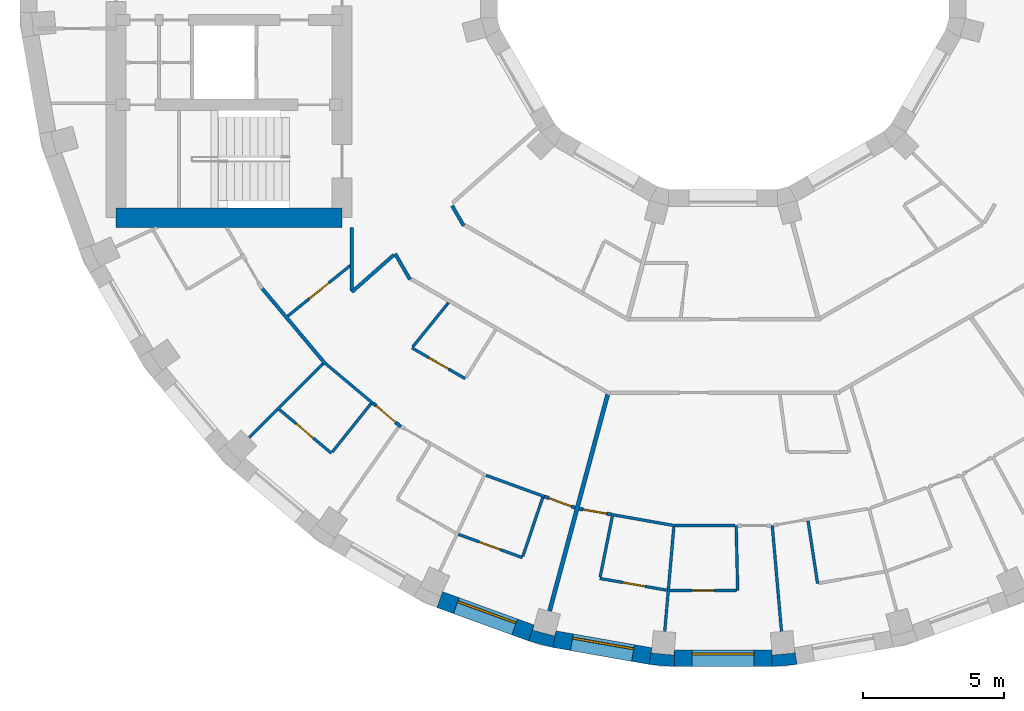
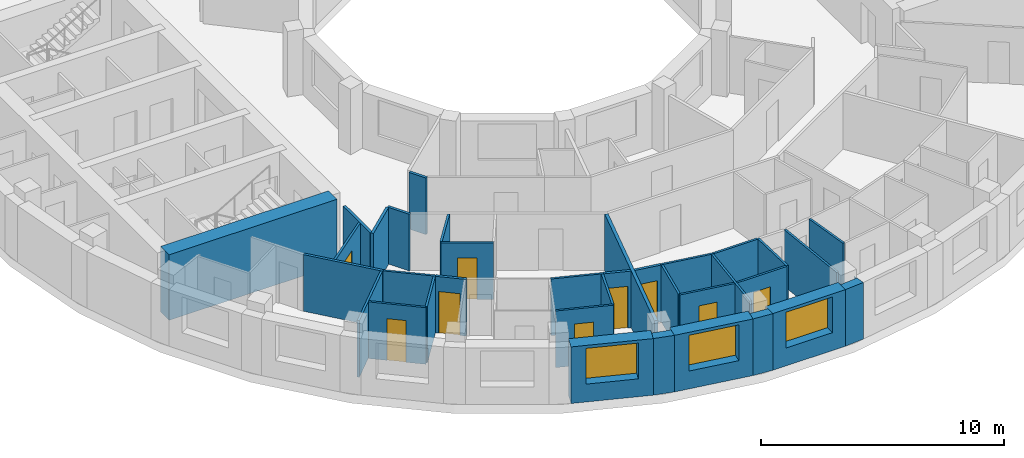
# One storey, part 4 of 14: 35 walls, 9 doors, 3 windows, 12 openings.
"""IFC4 building model written with IfcOpenShell, lengths in metres."""

from ifc_helpers import new_model, si_unit, direction, frame, frame_2d, origin, place, context, subcontext, project, spatial, polyline, rectangle, outline, extrude, material, layer, layer_set, type_object, element, fill, save


model = new_model("IFC4")

# Units and contexts
model_context = context("Model", 3, precision=1e-05, world=origin(), true_north=direction((0.0, 1.0)))
body_context = subcontext(model_context, "Body", "Model", "MODEL_VIEW")
ifc_project = project(units=[si_unit("LENGTHUNIT", "METRE"), si_unit("AREAUNIT", "SQUARE_METRE"), si_unit("VOLUMEUNIT", "CUBIC_METRE"), si_unit("PLANEANGLEUNIT", "RADIAN"), si_unit("MASSUNIT", "GRAM", prefix="KILO")], contexts=[model_context])

# Site, building, storey
site_placement = place(None, origin())
site = spatial("IfcSite", under=ifc_project, at=site_placement, CompositionType="ELEMENT")
building_placement = place(site_placement, origin())
building = spatial("IfcBuilding", under=site, at=building_placement, Name="Saqina Gate Tower", CompositionType="ELEMENT")
storey_placement = place(building_placement, frame((0.0, 0.0, 174.0)))
storey = spatial("IfcBuildingStorey", under=building, at=storey_placement, Name="L49", CompositionType="ELEMENT", Elevation=174.0)

# Walls
ifc_material_1 = material(Name="Brick masonry (buff)", Category="masonry")
wall_type_1 = type_object("IfcWallType", Name="BRICK PIER COPING BUFF", PredefinedType="SOLIDWALL", material=ifc_material_1)
wall_1_placement = place(storey_placement, origin())
element("IfcWall", 1, at=wall_1_placement, inside=storey, type_object=wall_type_1, Name="Pier cap L49 column 26", PredefinedType="SOLIDWALL", context=body_context, shape_type="SweptSolid", body=[
    extrude(outline(polyline([(-6.0234375, -24.22705078125), (-5.919189453125, -23.635986328125), (-5.967529296875, -23.81689453125), (-6.740478515625, -23.610107421875), (-6.69189453125, -23.428955078125), (-6.897216796875, -23.992919921875), (-6.0234375, -24.22705078125)])), origin(), (0.0, 0.0, 1.0), 2.85009765625),
])
wall_2_placement = place(storey_placement, origin())
element("IfcWall", 2, at=wall_2_placement, inside=storey, type_object=wall_type_1, Name="Pier cap L49 column 27", PredefinedType="SOLIDWALL", context=body_context, shape_type="SweptSolid", body=[
    extrude(outline(polyline([(-2.6259765625, -24.825927734375), (-1.724853515625, -24.90478515625), (-1.724853515625, -24.304931640625), (-1.7412109375, -24.491455078125), (-2.5380859375, -24.421630859375), (-2.521728515625, -24.235107421875), (-2.6259765625, -24.825927734375)])), origin(), (0.0, 0.0, 1.0), 2.85009765625),
])
wall_3_placement = place(storey_placement, origin())
element("IfcWall", 3, at=wall_3_placement, inside=storey, type_object=wall_type_1, Name="Pier cap L49 column 28", PredefinedType="SOLIDWALL", context=body_context, shape_type="SweptSolid", body=[
    extrude(outline(polyline([(1.724853515625, -24.90478515625), (2.6259765625, -24.825927734375), (2.521728515625, -24.235107421875), (2.5380859375, -24.421630859375), (1.7412109375, -24.491455078125), (1.724853515625, -24.304931640625), (1.724853515625, -24.90478515625)])), origin(), (0.0, 0.0, 1.0), 2.85009765625),
])

# Wall, opening, window
ifc_material_2 = material(Name="Brick masonry (buff)", Category="masonry")
ifc_layer_1 = layer(ifc_material_2, 0.60009765625)
ifc_layer_set_1 = layer_set([ifc_layer_1], Name="FW-BRICK-BUFF")
wall_type_2 = type_object("IfcWallType", Name="FW-BRICK-BUFF", PredefinedType="SOLIDWALL", material=ifc_layer_set_1)
wall_4_placement = place(storey_placement, frame((-10.0361328125, -22.531005859375, 0.0), z_axis=(0.0, 0.0, 1.0), x_axis=(0.93968799822, -0.342032843455, 0.0)))
wall_4 = element("IfcWall", 4, at=wall_4_placement, inside=storey, type_object=wall_type_2, Name="Facade wall L49 facet 25", PredefinedType="SOLIDWALL", context=body_context, shape_type="SweptSolid", body=[
    extrude(rectangle(XDim=3.44970703125, YDim=0.60009765625, at=frame_2d((1.724853515625, 0.0))), origin(), (0.0, 0.0, 1.0), 2.85009765625),
])
opening_1_placement = place(wall_4_placement, frame((0.625, 0.0, 0.89990234375)))
opening_1 = element("IfcOpeningElement", 5, at=opening_1_placement, cuts=wall_4, Name="Opening G14-W18", PredefinedType="OPENING", context=body_context, shape_type="SweptSolid", body=[
    extrude(rectangle(XDim=2.199951171875, YDim=1.800048828125, at=frame_2d((1.10009765625, 0.89990234375))), frame((0.0, 0.31201171875, 0.0), z_axis=(0.0, -1.0, 0.0), x_axis=(1.0, 0.0, 0.0)), (0.0, 0.0, 1.0), 0.6240234375),
])
ifc_material_3 = material(Name="Aluminium glazing", Category="aluminium")
window_type = type_object("IfcWindowType", Name="WN-C", PartitioningType="SINGLE_PANEL", PredefinedType="WINDOW", material=ifc_material_3)
window_1_placement = place(opening_1_placement, origin())
window_1 = element("IfcWindow", 6, at=window_1_placement, inside=storey, type_object=window_type, Name="Window L49 facet 25", OverallHeight=1.800048828125, OverallWidth=2.199951171875, PartitioningType="SINGLE_PANEL", PredefinedType="WINDOW", context=body_context, shape_type="SweptSolid", body=[
    extrude(rectangle(XDim=2.199951171875, YDim=1.800048828125, at=frame_2d((1.10009765625, 0.89990234375))), frame((0.0, 0.179931640625, 0.0), z_axis=(0.0, -1.0, 0.0), x_axis=(1.0, 0.0, 0.0)), (0.0, 0.0, 1.0), 0.06005859375),
])
fill(opening_1, window_1)

wall_5_placement = place(storey_placement, frame((-5.97119140625, -23.931640625, 0.0), z_axis=(0.0, 0.0, 1.0), x_axis=(0.984814892183, -0.173607684551, 0.0)))
wall_5 = element("IfcWall", 7, at=wall_5_placement, inside=storey, type_object=wall_type_2, Name="Facade wall L49 facet 26", PredefinedType="SOLIDWALL", context=body_context, shape_type="SweptSolid", body=[
    extrude(rectangle(XDim=3.44970703125, YDim=0.60009765625, at=frame_2d((1.724853515625, 0.0))), origin(), (0.0, 0.0, 1.0), 2.85009765625),
])
opening_2_placement = place(wall_5_placement, frame((0.625, 0.0, 0.89990234375)))
opening_2 = element("IfcOpeningElement", 8, at=opening_2_placement, cuts=wall_5, Name="Opening G14-W19", PredefinedType="OPENING", context=body_context, shape_type="SweptSolid", body=[
    extrude(rectangle(XDim=2.199951171875, YDim=1.800048828125, at=frame_2d((1.10009765625, 0.89990234375))), frame((0.0, 0.31201171875, 0.0), z_axis=(0.0, -1.0, 0.0), x_axis=(1.0, 0.0, 0.0)), (0.0, 0.0, 1.0), 0.6240234375),
])
window_2_placement = place(opening_2_placement, origin())
window_2 = element("IfcWindow", 9, at=window_2_placement, inside=storey, type_object=window_type, Name="Window L49 facet 26", OverallHeight=1.800048828125, OverallWidth=2.199951171875, PartitioningType="SINGLE_PANEL", PredefinedType="WINDOW", context=body_context, shape_type="SweptSolid", body=[
    extrude(rectangle(XDim=2.199951171875, YDim=1.800048828125, at=frame_2d((1.10009765625, 0.89990234375))), frame((0.0, 0.179931640625, 0.0), z_axis=(0.0, -1.0, 0.0), x_axis=(1.0, 0.0, 0.0)), (0.0, 0.0, 1.0), 0.06005859375),
])
fill(opening_2, window_2)

wall_6_placement = place(storey_placement, frame((-1.724853515625, -24.60498046875, 0.0), z_axis=(0.0, 0.0, 1.0), x_axis=(1.0, 0.0, 0.0)))
wall_6 = element("IfcWall", 10, at=wall_6_placement, inside=storey, type_object=wall_type_2, Name="Facade wall L49 facet 27", PredefinedType="SOLIDWALL", context=body_context, shape_type="SweptSolid", body=[
    extrude(rectangle(XDim=3.44970703125, YDim=0.60009765625, at=frame_2d((1.724853515625, 0.0))), origin(), (0.0, 0.0, 1.0), 2.85009765625),
])
opening_3_placement = place(wall_6_placement, frame((0.625, 0.0, 0.89990234375)))
opening_3 = element("IfcOpeningElement", 11, at=opening_3_placement, cuts=wall_6, Name="Opening G14-W20", PredefinedType="OPENING", context=body_context, shape_type="SweptSolid", body=[
    extrude(rectangle(XDim=2.199951171875, YDim=1.800048828125, at=frame_2d((1.10009765625, 0.89990234375))), frame((0.0, 0.31201171875, 0.0), z_axis=(0.0, -1.0, 0.0), x_axis=(1.0, 0.0, 0.0)), (0.0, 0.0, 1.0), 0.6240234375),
])
window_3_placement = place(opening_3_placement, origin())
window_3 = element("IfcWindow", 12, at=window_3_placement, inside=storey, type_object=window_type, Name="Window L49 facet 27", OverallHeight=1.800048828125, OverallWidth=2.199951171875, PartitioningType="SINGLE_PANEL", PredefinedType="WINDOW", context=body_context, shape_type="SweptSolid", body=[
    extrude(rectangle(XDim=2.199951171875, YDim=1.800048828125, at=frame_2d((1.10009765625, 0.89990234375))), frame((0.0, 0.179931640625, 0.0), z_axis=(0.0, -1.0, 0.0), x_axis=(1.0, 0.0, 0.0)), (0.0, 0.0, 1.0), 0.06005859375),
])
fill(opening_3, window_3)

# Walls
ifc_material_4 = material(Name="Gypsum board on steel studs, 100 mm", Category="steel")
ifc_layer_2 = layer(ifc_material_4, 0.10009765625)
ifc_layer_set_2 = layer_set([ifc_layer_2], Name="PARTITION 100")
wall_type_3 = type_object("IfcWallType", Name="PARTITION 100", PredefinedType="PARTITIONING", material=ifc_layer_set_2)
wall_7_placement = place(storey_placement, frame((0.462890625, -19.905029296875, 0.0), z_axis=(0.0, 0.0, 1.0), x_axis=(0.023557837766, -0.99972247563, 0.0)))
element("IfcWall", 13, at=wall_7_placement, inside=storey, type_object=wall_type_3, Name="PARTITION PW3-02", PredefinedType="PARTITIONING", context=body_context, shape_type="SweptSolid", body=[
    extrude(rectangle(XDim=2.30078125, YDim=0.10009765625, at=frame_2d((1.150390625, 0.0))), origin(), (0.0, 0.0, 1.0), 2.85009765625),
])
wall_8_placement = place(storey_placement, frame((1.740966796875, -19.905029296875, 0.0), z_axis=(0.0, 0.0, 1.0), x_axis=(0.087033201937, -0.996205411429, 0.0)))
element("IfcWall", 14, at=wall_8_placement, inside=storey, type_object=wall_type_3, Name="PARTITION PW3-05", PredefinedType="PARTITIONING", context=body_context, shape_type="SweptSolid", body=[
    extrude(rectangle(XDim=3.7587890625, YDim=0.10009765625, at=frame_2d((1.87939453125, 0.0))), origin(), (0.0, 0.0, 1.0), 2.85009765625),
])
wall_9_placement = place(storey_placement, frame((3.009521484375, -19.744873046875, 0.0), z_axis=(0.0, 0.0, 1.0), x_axis=(0.150778111259, -0.988567631053, 0.0)))
element("IfcWall", 15, at=wall_9_placement, inside=storey, type_object=wall_type_3, Name="PARTITION PW3-09", PredefinedType="PARTITIONING", context=body_context, shape_type="SweptSolid", body=[
    extrude(rectangle(XDim=2.23779296875, YDim=0.10009765625, at=frame_2d((1.118896484375, 0.0))), origin(), (0.0, 0.0, 1.0), 2.85009765625),
])

# Wall, opening, door
wall_10_placement = place(storey_placement, frame((-15.72265625, -15.793212890625, 0.0), z_axis=(0.0, 0.0, 1.0), x_axis=(0.766024146731, -0.642811797204, 0.0)))
wall_10 = element("IfcWall", 16, at=wall_10_placement, inside=storey, type_object=wall_type_3, Name="PARTITION PW3-28", PredefinedType="PARTITIONING", context=body_context, shape_type="SweptSolid", body=[
    extrude(rectangle(XDim=2.409423828125, YDim=0.10009765625, at=frame_2d((1.20458984375, 0.0))), origin(), (0.0, 0.0, 1.0), 2.85009765625),
])
opening_4_placement = place(wall_10_placement, frame((0.77978515625, 0.0, 0.0)))
opening_4 = element("IfcOpeningElement", 17, at=opening_4_placement, cuts=wall_10, Name="Opening G14-D34", PredefinedType="OPENING", context=body_context, shape_type="SweptSolid", body=[
    extrude(rectangle(XDim=0.800048828125, YDim=2.10009765625, at=frame_2d((0.39990234375, 1.050048828125))), frame((0.0, 0.06201171875, 0.0), z_axis=(0.0, -1.0, 0.0), x_axis=(1.0, 0.0, 0.0)), (0.0, 0.0, 1.0), 0.1240234375),
])
ifc_material_5 = material(Name="Timber door leaf, 800 mm", Category="wood")
door_type_1 = type_object("IfcDoorType", Name="DOOR 800 TIMBER", OperationType="SINGLE_SWING_LEFT", PredefinedType="DOOR", material=ifc_material_5)
door_1_placement = place(opening_4_placement, frame((0.800048828125, 0.0, 0.0), z_axis=(0.0, 0.0, 1.0), x_axis=(-1.0, 0.0, 0.0)))
door_1 = element("IfcDoor", 18, at=door_1_placement, inside=storey, type_object=door_type_1, Name="DOOR G14-D34", OperationType="SINGLE_SWING_RIGHT", OverallHeight=2.10009765625, OverallWidth=0.800048828125, PredefinedType="DOOR", context=body_context, shape_type="SweptSolid", body=[
    extrude(rectangle(XDim=0.800048828125, YDim=2.10009765625, at=frame_2d((0.39990234375, 1.050048828125))), frame((0.0, 0.02490234375, 0.0), z_axis=(0.0, -1.0, 0.0), x_axis=(1.0, 0.0, 0.0)), (0.0, 0.0, 1.0), 0.050048828125),
])
fill(opening_4, door_1)

# Wall
wall_11_placement = place(storey_placement, frame((-14.0810546875, -14.169189453125, 0.0), z_axis=(0.0, 0.0, 1.0), x_axis=(0.766108401036, -0.642711379907, 0.0)))
element("IfcWall", 19, at=wall_11_placement, inside=storey, type_object=wall_type_3, Name="PARTITION PW3-29", PredefinedType="PARTITIONING", context=body_context, shape_type="SweptSolid", body=[
    extrude(rectangle(XDim=2.192138671875, YDim=0.10009765625, at=frame_2d((1.09619140625, 0.0))), origin(), (0.0, 0.0, 1.0), 2.85009765625),
])

# Wall, opening, door
wall_12_placement = place(storey_placement, frame((-11.02294921875, -13.612060546875, 0.0), z_axis=(0.0, 0.0, 1.0), x_axis=(0.86608684879, -0.499893559023, 0.0)))
wall_12 = element("IfcWall", 20, at=wall_12_placement, inside=storey, type_object=wall_type_3, Name="PARTITION PW3-37", PredefinedType="PARTITIONING", context=body_context, shape_type="SweptSolid", body=[
    extrude(rectangle(XDim=2.18212890625, YDim=0.10009765625, at=frame_2d((1.091064453125, 0.0))), origin(), (0.0, 0.0, 1.0), 2.85009765625),
])
opening_5_placement = place(wall_12_placement, frame((0.691162109375, 0.0, 0.0)))
opening_5 = element("IfcOpeningElement", 21, at=opening_5_placement, cuts=wall_12, Name="Opening G14-D36", PredefinedType="OPENING", context=body_context, shape_type="SweptSolid", body=[
    extrude(rectangle(XDim=0.800048828125, YDim=2.10009765625, at=frame_2d((0.39990234375, 1.050048828125))), frame((0.0, 0.06201171875, 0.0), z_axis=(0.0, -1.0, 0.0), x_axis=(1.0, 0.0, 0.0)), (0.0, 0.0, 1.0), 0.1240234375),
])
door_2_placement = place(opening_5_placement, frame((0.800048828125, 0.0, 0.0), z_axis=(0.0, 0.0, 1.0), x_axis=(-1.0, 0.0, 0.0)))
door_2 = element("IfcDoor", 22, at=door_2_placement, inside=storey, type_object=door_type_1, Name="DOOR G14-D36", OperationType="SINGLE_SWING_RIGHT", OverallHeight=2.10009765625, OverallWidth=0.800048828125, PredefinedType="DOOR", context=body_context, shape_type="SweptSolid", body=[
    extrude(rectangle(XDim=0.800048828125, YDim=2.10009765625, at=frame_2d((0.39990234375, 1.050048828125))), frame((0.0, 0.02490234375, 0.0), z_axis=(0.0, -1.0, 0.0), x_axis=(1.0, 0.0, 0.0)), (0.0, 0.0, 1.0), 0.050048828125),
])
fill(opening_5, door_2)

wall_13_placement = place(storey_placement, frame((-9.373046875, -20.218017578125, 0.0), z_axis=(0.0, 0.0, 1.0), x_axis=(0.939707598657, -0.34197898916, 0.0)))
wall_13 = element("IfcWall", 23, at=wall_13_placement, inside=storey, type_object=wall_type_3, Name="PARTITION PW3-42", PredefinedType="PARTITIONING", context=body_context, shape_type="SweptSolid", body=[
    extrude(rectangle(XDim=2.409423828125, YDim=0.10009765625, at=frame_2d((1.20458984375, 0.0))), origin(), (0.0, 0.0, 1.0), 2.85009765625),
])
opening_6_placement = place(wall_13_placement, frame((0.779541015625, 0.0, 0.0)))
opening_6 = element("IfcOpeningElement", 24, at=opening_6_placement, cuts=wall_13, Name="Opening G14-D42", PredefinedType="OPENING", context=body_context, shape_type="SweptSolid", body=[
    extrude(rectangle(XDim=0.800048828125, YDim=2.10009765625, at=frame_2d((0.39990234375, 1.050048828125))), frame((0.0, 0.06201171875, 0.0), z_axis=(0.0, -1.0, 0.0), x_axis=(1.0, 0.0, 0.0)), (0.0, 0.0, 1.0), 0.1240234375),
])
door_3_placement = place(opening_6_placement, frame((0.800048828125, 0.0, 0.0), z_axis=(0.0, 0.0, 1.0), x_axis=(-1.0, 0.0, 0.0)))
door_3 = element("IfcDoor", 25, at=door_3_placement, inside=storey, type_object=door_type_1, Name="DOOR G14-D42", OperationType="SINGLE_SWING_RIGHT", OverallHeight=2.10009765625, OverallWidth=0.800048828125, PredefinedType="DOOR", context=body_context, shape_type="SweptSolid", body=[
    extrude(rectangle(XDim=0.800048828125, YDim=2.10009765625, at=frame_2d((0.39990234375, 1.050048828125))), frame((0.0, 0.02490234375, 0.0), z_axis=(0.0, -1.0, 0.0), x_axis=(1.0, 0.0, 0.0)), (0.0, 0.0, 1.0), 0.050048828125),
])
fill(opening_6, door_3)

# Wall
wall_14_placement = place(storey_placement, frame((-8.39697265625, -18.126220703125, 0.0), z_axis=(0.0, 0.0, 1.0), x_axis=(0.939676937302, -0.342063230271, 0.0)))
element("IfcWall", 26, at=wall_14_placement, inside=storey, type_object=wall_type_3, Name="PARTITION PW3-43", PredefinedType="PARTITIONING", context=body_context, shape_type="SweptSolid", body=[
    extrude(rectangle(XDim=2.2041015625, YDim=0.10009765625, at=frame_2d((1.10205078125, 0.0))), origin(), (0.0, 0.0, 1.0), 2.85009765625),
])

# Wall, opening, door
wall_15_placement = place(storey_placement, frame((-4.364990234375, -21.778076171875, 0.0), z_axis=(0.0, 0.0, 1.0), x_axis=(0.984820260231, -0.173577230762, 0.0)))
wall_15 = element("IfcWall", 27, at=wall_15_placement, inside=storey, type_object=wall_type_3, Name="PARTITION PW3-46", PredefinedType="PARTITIONING", context=body_context, shape_type="SweptSolid", body=[
    extrude(rectangle(XDim=2.409423828125, YDim=0.10009765625, at=frame_2d((1.20458984375, 0.0))), origin(), (0.0, 0.0, 1.0), 2.85009765625),
])
opening_7_placement = place(wall_15_placement, frame((0.82958984375, 0.0, 0.0)))
opening_7 = element("IfcOpeningElement", 28, at=opening_7_placement, cuts=wall_15, Name="Opening G14-D45", PredefinedType="OPENING", context=body_context, shape_type="SweptSolid", body=[
    extrude(rectangle(XDim=0.800048828125, YDim=2.10009765625, at=frame_2d((0.39990234375, 1.050048828125))), frame((0.0, 0.06201171875, 0.0), z_axis=(0.0, -1.0, 0.0), x_axis=(1.0, 0.0, 0.0)), (0.0, 0.0, 1.0), 0.1240234375),
])
door_4_placement = place(opening_7_placement, frame((0.800048828125, 0.0, 0.0), z_axis=(0.0, 0.0, 1.0), x_axis=(-1.0, 0.0, 0.0)))
door_4 = element("IfcDoor", 29, at=door_4_placement, inside=storey, type_object=door_type_1, Name="DOOR G14-D45", OperationType="SINGLE_SWING_LEFT", OverallHeight=2.10009765625, OverallWidth=0.800048828125, PredefinedType="DOOR", context=body_context, shape_type="SweptSolid", body=[
    extrude(rectangle(XDim=0.800048828125, YDim=2.10009765625, at=frame_2d((0.39990234375, 1.050048828125))), frame((0.0, 0.02490234375, 0.0), z_axis=(0.0, -1.0, 0.0), x_axis=(1.0, 0.0, 0.0)), (0.0, 0.0, 1.0), 0.050048828125),
])
fill(opening_7, door_4)

# Wall
wall_16_placement = place(storey_placement, frame((-3.961181640625, -19.513427734375, 0.0), z_axis=(0.0, 0.0, 1.0), x_axis=(0.984801677979, -0.173682627367, 0.0)))
element("IfcWall", 30, at=wall_16_placement, inside=storey, type_object=wall_type_3, Name="PARTITION PW3-47", PredefinedType="PARTITIONING", context=body_context, shape_type="SweptSolid", body=[
    extrude(rectangle(XDim=2.305419921875, YDim=0.10009765625, at=frame_2d((1.15283203125, 0.0))), origin(), (0.0, 0.0, 1.0), 2.85009765625),
])

# Wall, opening, door
wall_17_placement = place(storey_placement, frame((-1.89306640625, -22.205078125, 0.0), z_axis=(0.0, 0.0, 1.0), x_axis=(1.0, 0.0, 0.0)))
wall_17 = element("IfcWall", 31, at=wall_17_placement, inside=storey, type_object=wall_type_3, Name="PARTITION PW3-50", PredefinedType="PARTITIONING", context=body_context, shape_type="SweptSolid", body=[
    extrude(rectangle(XDim=2.360107421875, YDim=0.10009765625, at=frame_2d((1.18017578125, 0.0))), origin(), (0.0, 0.0, 1.0), 2.85009765625),
])
opening_8_placement = place(wall_17_placement, frame((0.780029296875, 0.0, 0.0)))
opening_8 = element("IfcOpeningElement", 32, at=opening_8_placement, cuts=wall_17, Name="Opening G14-D48", PredefinedType="OPENING", context=body_context, shape_type="SweptSolid", body=[
    extrude(rectangle(XDim=0.800048828125, YDim=2.10009765625, at=frame_2d((0.39990234375, 1.050048828125))), frame((0.0, 0.06201171875, 0.0), z_axis=(0.0, -1.0, 0.0), x_axis=(1.0, 0.0, 0.0)), (0.0, 0.0, 1.0), 0.1240234375),
])
door_5_placement = place(opening_8_placement, frame((0.800048828125, 0.0, 0.0), z_axis=(0.0, 0.0, 1.0), x_axis=(-1.0, 0.0, 0.0)))
door_5 = element("IfcDoor", 33, at=door_5_placement, inside=storey, type_object=door_type_1, Name="DOOR G14-D48", OperationType="SINGLE_SWING_LEFT", OverallHeight=2.10009765625, OverallWidth=0.800048828125, PredefinedType="DOOR", context=body_context, shape_type="SweptSolid", body=[
    extrude(rectangle(XDim=0.800048828125, YDim=2.10009765625, at=frame_2d((0.39990234375, 1.050048828125))), frame((0.0, 0.02490234375, 0.0), z_axis=(0.0, -1.0, 0.0), x_axis=(1.0, 0.0, 0.0)), (0.0, 0.0, 1.0), 0.050048828125),
])
fill(opening_8, door_5)

# Wall
wall_18_placement = place(storey_placement, frame((-1.69091796875, -19.905029296875, 0.0), z_axis=(0.0, 0.0, 1.0), x_axis=(1.0, 0.0, 0.0)))
element("IfcWall", 34, at=wall_18_placement, inside=storey, type_object=wall_type_3, Name="PARTITION PW3-51", PredefinedType="PARTITIONING", context=body_context, shape_type="SweptSolid", body=[
    extrude(rectangle(XDim=2.10400390625, YDim=0.10009765625, at=frame_2d((1.052001953125, 0.0))), origin(), (0.0, 0.0, 1.0), 2.85009765625),
])

# Wall, opening, door
wall_19_placement = place(storey_placement, frame((-15.42236328125, -12.48876953125, 0.0), z_axis=(0.0, 0.0, 1.0), x_axis=(0.777201155745, 0.629252225669, 0.0)))
wall_19 = element("IfcWall", 35, at=wall_19_placement, inside=storey, type_object=wall_type_3, Name="PARTITION PW3-74", PredefinedType="PARTITIONING", context=body_context, shape_type="SweptSolid", body=[
    extrude(rectangle(XDim=2.861328125, YDim=0.10009765625, at=frame_2d((1.4306640625, 0.0))), origin(), (0.0, 0.0, 1.0), 2.85009765625),
])
opening_9_placement = place(wall_19_placement, frame((0.980712890625, 0.0, 0.0)))
opening_9 = element("IfcOpeningElement", 36, at=opening_9_placement, cuts=wall_19, Name="Opening G14-D33", PredefinedType="OPENING", context=body_context, shape_type="SweptSolid", body=[
    extrude(rectangle(XDim=0.89990234375, YDim=2.10009765625, at=frame_2d((0.449951171875, 1.050048828125))), frame((0.0, 0.06201171875, 0.0), z_axis=(0.0, -1.0, 0.0), x_axis=(1.0, 0.0, 0.0)), (0.0, 0.0, 1.0), 0.1240234375),
])
ifc_material_6 = material(Name="Timber door leaf, 900 mm", Category="wood")
door_type_2 = type_object("IfcDoorType", Name="DOOR 900 TIMBER", OperationType="SINGLE_SWING_LEFT", PredefinedType="DOOR", material=ifc_material_6)
door_6_placement = place(opening_9_placement, frame((0.89990234375, 0.0, 0.0), z_axis=(0.0, 0.0, 1.0), x_axis=(-1.0, 0.0, 0.0)))
door_6 = element("IfcDoor", 37, at=door_6_placement, inside=storey, type_object=door_type_2, Name="DOOR G14-D33", OperationType="SINGLE_SWING_LEFT", OverallHeight=2.10009765625, OverallWidth=0.89990234375, PredefinedType="DOOR", context=body_context, shape_type="SweptSolid", body=[
    extrude(rectangle(XDim=0.89990234375, YDim=2.10009765625, at=frame_2d((0.449951171875, 1.050048828125))), frame((0.0, 0.02490234375, 0.0), z_axis=(0.0, -1.0, 0.0), x_axis=(1.0, 0.0, 0.0)), (0.0, 0.0, 1.0), 0.050048828125),
])
fill(opening_9, door_6)

# Walls
wall_20_placement = place(storey_placement, frame((-16.78662109375, -16.78662109375, 0.0), z_axis=(0.0, 0.0, 1.0), x_axis=(0.707106781187, 0.707106781187, 0.0)))
element("IfcWall", 38, at=wall_20_placement, inside=storey, type_object=wall_type_3, Name="PARTITION PW3-78", PredefinedType="PARTITIONING", context=body_context, shape_type="SweptSolid", body=[
    extrude(rectangle(XDim=3.696044921875, YDim=0.10009765625, at=frame_2d((1.84814453125, 0.0))), origin(), (0.0, 0.0, 1.0), 2.85009765625),
])
wall_21_placement = place(storey_placement, frame((-10.991455078125, -13.5732421875, 0.0), z_axis=(0.0, 0.0, 1.0), x_axis=(0.629327284659, 0.777140379072, 0.0)))
element("IfcWall", 39, at=wall_21_placement, inside=storey, type_object=wall_type_3, Name="PARTITION PW3-83", PredefinedType="PARTITIONING", context=body_context, shape_type="SweptSolid", body=[
    extrude(rectangle(XDim=2.013427734375, YDim=0.10009765625, at=frame_2d((1.0068359375, 0.0))), origin(), (0.0, 0.0, 1.0), 2.85009765625),
])
wall_22_placement = place(storey_placement, frame((-13.845703125, -17.302978515625, 0.0), z_axis=(0.0, 0.0, 1.0), x_axis=(0.624722111344, 0.780847157642, 0.0)))
element("IfcWall", 40, at=wall_22_placement, inside=storey, type_object=wall_type_3, Name="PARTITION PW3-84", PredefinedType="PARTITIONING", context=body_context, shape_type="SweptSolid", body=[
    extrude(rectangle(XDim=2.2001953125, YDim=0.10009765625, at=frame_2d((1.10009765625, 0.0))), origin(), (0.0, 0.0, 1.0), 2.85009765625),
])
wall_23_placement = place(storey_placement, frame((-7.093017578125, -20.99462890625, 0.0), z_axis=(0.0, 0.0, 1.0), x_axis=(0.320053851591, 0.947399351953, 0.0)))
element("IfcWall", 41, at=wall_23_placement, inside=storey, type_object=wall_type_3, Name="PARTITION PW3-96", PredefinedType="PARTITIONING", context=body_context, shape_type="SweptSolid", body=[
    extrude(rectangle(XDim=2.199951171875, YDim=0.10009765625, at=frame_2d((1.10009765625, 0.0))), origin(), (0.0, 0.0, 1.0), 2.85009765625),
])
wall_24_placement = place(storey_placement, frame((-4.355224609375, -21.72900390625, 0.0), z_axis=(0.0, 0.0, 1.0), x_axis=(0.196888353759, 0.980425915689, 0.0)))
element("IfcWall", 42, at=wall_24_placement, inside=storey, type_object=wall_type_3, Name="PARTITION PW3-98", PredefinedType="PARTITIONING", context=body_context, shape_type="SweptSolid", body=[
    extrude(rectangle(XDim=2.1884765625, YDim=0.10009765625, at=frame_2d((1.09423828125, 0.0))), origin(), (0.0, 0.0, 1.0), 2.85009765625),
])
wall_25_placement = place(storey_placement, frame((-2.0673828125, -23.64990234375, 0.0), z_axis=(0.0, 0.0, 1.0), x_axis=(0.086819919703, 0.996224021766, 0.0)))
element("IfcWall", 43, at=wall_25_placement, inside=storey, type_object=wall_type_3, Name="PARTITION PW3-101", PredefinedType="PARTITIONING", context=body_context, shape_type="SweptSolid", body=[
    extrude(rectangle(XDim=3.708984375, YDim=0.10009765625, at=frame_2d((1.8544921875, 0.0))), origin(), (0.0, 0.0, 1.0), 2.85009765625),
])
ifc_material_7 = material(Name="Gypsum board on steel studs, 125 mm, fire rated", Category="steel")
ifc_layer_3 = layer(ifc_material_7, 0.125)
ifc_layer_set_3 = layer_set([ifc_layer_3], Name="PARTITION EI 30 125")
wall_type_4 = type_object("IfcWallType", Name="PARTITION EI 30 125", PredefinedType="PARTITIONING", material=ifc_layer_set_3)
wall_26_placement = place(storey_placement, frame((-11.616943359375, -10.278076171875, 0.0), z_axis=(0.0, 0.0, 1.0), x_axis=(0.499956751108, -0.866050372104, 0.0)))
element("IfcWall", 44, at=wall_26_placement, inside=storey, type_object=wall_type_4, Name="PARTITION PW1-02", PredefinedType="PARTITIONING", context=body_context, shape_type="SweptSolid", body=[
    extrude(rectangle(XDim=1.05224609375, YDim=0.125, at=frame_2d((0.526123046875, 0.0))), origin(), (0.0, 0.0, 1.0), 2.85009765625),
])
wall_27_placement = place(storey_placement, frame((-9.598876953125, -8.57421875, 0.0), z_axis=(0.0, 0.0, 1.0), x_axis=(0.499619651844, -0.86624488656, 0.0)))
element("IfcWall", 45, at=wall_27_placement, inside=storey, type_object=wall_type_4, Name="PARTITION PW1-03", PredefinedType="PARTITIONING", context=body_context, shape_type="SweptSolid", body=[
    extrude(rectangle(XDim=0.822509765625, YDim=0.125, at=frame_2d((0.4111328125, 0.0))), origin(), (0.0, 0.0, 1.0), 2.85009765625),
])
wall_28_placement = place(storey_placement, frame((-16.324951171875, -11.5107421875, 0.0), z_axis=(0.0, 0.0, 1.0), x_axis=(0.642416987395, -0.766355279428, 0.0)))
element("IfcWall", 46, at=wall_28_placement, inside=storey, type_object=wall_type_4, Name="PARTITION PW1-08", PredefinedType="PARTITIONING", context=body_context, shape_type="SweptSolid", body=[
    extrude(rectangle(XDim=3.480712890625, YDim=0.125, at=frame_2d((1.740234375, 0.0))), origin(), (0.0, 0.0, 1.0), 2.85009765625),
])

# Wall, opening, door
wall_29_placement = place(storey_placement, frame((-12.398193359375, -15.573974609375, 0.0), z_axis=(0.0, 0.0, 1.0), x_axis=(0.763379112729, -0.645950718128, 0.0)))
wall_29 = element("IfcWall", 47, at=wall_29_placement, inside=storey, type_object=wall_type_4, Name="PARTITION PW1-13", PredefinedType="PARTITIONING", context=body_context, shape_type="SweptSolid", body=[
    extrude(rectangle(XDim=1.291015625, YDim=0.125, at=frame_2d((0.6455078125, 0.0))), origin(), (0.0, 0.0, 1.0), 2.85009765625),
])
opening_10_placement = place(wall_29_placement, frame((0.138916015625, 0.0, 0.0)))
opening_10 = element("IfcOpeningElement", 48, at=opening_10_placement, cuts=wall_29, Name="Opening G14-D35", PredefinedType="OPENING", context=body_context, shape_type="SweptSolid", body=[
    extrude(rectangle(XDim=0.89990234375, YDim=2.10009765625, at=frame_2d((0.449951171875, 1.050048828125))), frame((0.0, 0.074462890625, 0.0), z_axis=(0.0, -1.0, 0.0), x_axis=(1.0, 0.0, 0.0)), (0.0, 0.0, 1.0), 0.14892578125),
])
ifc_material_8 = material(Name="Fire door leaf EI 30, 900 mm")
door_type_3 = type_object("IfcDoorType", Name="DOOR 900 EI 30", OperationType="SINGLE_SWING_LEFT", PredefinedType="DOOR", material=ifc_material_8)
door_7_placement = place(opening_10_placement, origin())
door_7 = element("IfcDoor", 49, at=door_7_placement, inside=storey, type_object=door_type_3, Name="DOOR G14-D35", OperationType="SINGLE_SWING_RIGHT", OverallHeight=2.10009765625, OverallWidth=0.89990234375, PredefinedType="DOOR", context=body_context, shape_type="SweptSolid", body=[
    extrude(rectangle(XDim=0.89990234375, YDim=2.10009765625, at=frame_2d((0.449951171875, 1.050048828125))), frame((0.0, 0.02490234375, 0.0), z_axis=(0.0, -1.0, 0.0), x_axis=(1.0, 0.0, 0.0)), (0.0, 0.0, 1.0), 0.050048828125),
])
fill(opening_10, door_7)

wall_30_placement = place(storey_placement, frame((-6.325439453125, -18.878662109375, 0.0), z_axis=(0.0, 0.0, 1.0), x_axis=(0.93942221686, -0.342762160206, 0.0)))
wall_30 = element("IfcWall", 50, at=wall_30_placement, inside=storey, type_object=wall_type_4, Name="PARTITION PW1-22", PredefinedType="PARTITIONING", context=body_context, shape_type="SweptSolid", body=[
    extrude(rectangle(XDim=1.15380859375, YDim=0.125, at=frame_2d((0.576904296875, 0.0))), origin(), (0.0, 0.0, 1.0), 2.85009765625),
])
opening_11_placement = place(wall_30_placement, frame((0.16455078125, 0.0, 0.0)))
opening_11 = element("IfcOpeningElement", 51, at=opening_11_placement, cuts=wall_30, Name="Opening G14-D43", PredefinedType="OPENING", context=body_context, shape_type="SweptSolid", body=[
    extrude(rectangle(XDim=0.85009765625, YDim=2.10009765625, at=frame_2d((0.425048828125, 1.050048828125))), frame((0.0, 0.074462890625, 0.0), z_axis=(0.0, -1.0, 0.0), x_axis=(1.0, 0.0, 0.0)), (0.0, 0.0, 1.0), 0.14892578125),
])
ifc_material_9 = material(Name="Fire door leaf EI 30, 850 mm")
door_type_4 = type_object("IfcDoorType", Name="DOOR 850 EI 30", OperationType="SINGLE_SWING_LEFT", PredefinedType="DOOR", material=ifc_material_9)
door_8_placement = place(opening_11_placement, origin())
door_8 = element("IfcDoor", 52, at=door_8_placement, inside=storey, type_object=door_type_4, Name="DOOR G14-D43", OperationType="SINGLE_SWING_RIGHT", OverallHeight=2.10009765625, OverallWidth=0.85009765625, PredefinedType="DOOR", context=body_context, shape_type="SweptSolid", body=[
    extrude(rectangle(XDim=0.85009765625, YDim=2.10009765625, at=frame_2d((0.425048828125, 1.050048828125))), frame((0.0, 0.02490234375, 0.0), z_axis=(0.0, -1.0, 0.0), x_axis=(1.0, 0.0, 0.0)), (0.0, 0.0, 1.0), 0.050048828125),
])
fill(opening_11, door_8)

wall_31_placement = place(storey_placement, frame((-5.09716796875, -19.31298828125, 0.0), z_axis=(0.0, 0.0, 1.0), x_axis=(0.984787819846, -0.173761186352, 0.0)))
wall_31 = element("IfcWall", 53, at=wall_31_placement, inside=storey, type_object=wall_type_4, Name="PARTITION PW1-24", PredefinedType="PARTITIONING", context=body_context, shape_type="SweptSolid", body=[
    extrude(rectangle(XDim=1.153564453125, YDim=0.125, at=frame_2d((0.57666015625, 0.0))), origin(), (0.0, 0.0, 1.0), 2.85009765625),
])
opening_12_placement = place(wall_31_placement, frame((0.13916015625, 0.0, 0.0)))
opening_12 = element("IfcOpeningElement", 54, at=opening_12_placement, cuts=wall_31, Name="Opening G14-D44", PredefinedType="OPENING", context=body_context, shape_type="SweptSolid", body=[
    extrude(rectangle(XDim=0.85009765625, YDim=2.10009765625, at=frame_2d((0.425048828125, 1.050048828125))), frame((0.0, 0.074462890625, 0.0), z_axis=(0.0, -1.0, 0.0), x_axis=(1.0, 0.0, 0.0)), (0.0, 0.0, 1.0), 0.14892578125),
])
door_9_placement = place(opening_12_placement, origin())
door_9 = element("IfcDoor", 55, at=door_9_placement, inside=storey, type_object=door_type_4, Name="DOOR G14-D44", OperationType="SINGLE_SWING_LEFT", OverallHeight=2.10009765625, OverallWidth=0.85009765625, PredefinedType="DOOR", context=body_context, shape_type="SweptSolid", body=[
    extrude(rectangle(XDim=0.85009765625, YDim=2.10009765625, at=frame_2d((0.425048828125, 1.050048828125))), frame((0.0, 0.02490234375, 0.0), z_axis=(0.0, -1.0, 0.0), x_axis=(1.0, 0.0, 0.0)), (0.0, 0.0, 1.0), 0.050048828125),
])
fill(opening_12, door_9)

# Walls
wall_32_placement = place(storey_placement, frame((-13.14990234375, -11.634033203125, 0.0), z_axis=(0.0, 0.0, 1.0), x_axis=(0.748975424904, 0.662597776098, 0.0)))
element("IfcWall", 56, at=wall_32_placement, inside=storey, type_object=wall_type_4, Name="PARTITION PW1-42", PredefinedType="PARTITIONING", context=body_context, shape_type="SweptSolid", body=[
    extrude(rectangle(XDim=1.984130859375, YDim=0.125, at=frame_2d((0.9921875, 0.0))), origin(), (0.0, 0.0, 1.0), 2.85009765625),
])
wall_33_placement = place(storey_placement, frame((-13.14990234375, -11.571533203125, 0.0), z_axis=(0.0, 0.0, 1.0), x_axis=(0.0, 1.0, 0.0)))
element("IfcWall", 57, at=wall_33_placement, inside=storey, type_object=wall_type_4, Name="PARTITION PW1-51", PredefinedType="PARTITIONING", context=body_context, shape_type="SweptSolid", body=[
    extrude(rectangle(XDim=2.221435546875, YDim=0.125, at=frame_2d((1.11083984375, 0.0))), origin(), (0.0, 0.0, 1.0), 2.85009765625),
])
ifc_material_10 = material(Name="Gypsum board on steel studs, 150 mm, fire rated", Category="steel")
ifc_layer_4 = layer(ifc_material_10, 0.14990234375)
ifc_layer_set_4 = layer_set([ifc_layer_4], Name="PARTITION EI 60 150")
wall_type_5 = type_object("IfcWallType", Name="PARTITION EI 60 150", PredefinedType="PARTITIONING", material=ifc_layer_set_4)
wall_34_placement = place(storey_placement, frame((-6.1455078125, -22.9306640625, 0.0), z_axis=(0.0, 0.0, 1.0), x_axis=(0.259231390727, 0.965815244269, 0.0)))
element("IfcWall", 58, at=wall_34_placement, inside=storey, type_object=wall_type_5, Name="PARTITION PW2-05", PredefinedType="PARTITIONING", context=body_context, shape_type="SweptSolid", body=[
    extrude(rectangle(XDim=7.941162109375, YDim=0.14990234375, at=frame_2d((3.970703125, 0.0))), origin(), (0.0, 0.0, 1.0), 2.85009765625),
])
ifc_material_11 = material(Name="Concrete C60/75", Category="concrete")
ifc_layer_5 = layer(ifc_material_11, 0.699951171875)
ifc_layer_set_5 = layer_set([ifc_layer_5], Name="Concrete C60/75")
wall_type_6 = type_object("IfcWallType", Name="STR-CORE WALL-C-O", PredefinedType="SHEAR", material=ifc_layer_set_5)
wall_35_placement = place(storey_placement, frame((-13.5, -9.0, 0.0), z_axis=(0.0, 0.0, 1.0), x_axis=(-1.0, 0.0, 0.0)))
element("IfcWall", 59, at=wall_35_placement, inside=storey, type_object=wall_type_6, Name="CORE WALL L49 W-SE", PredefinedType="SHEAR", context=body_context, shape_type="SweptSolid", body=[
    extrude(rectangle(XDim=8.0, YDim=0.699951171875, at=frame_2d((4.0, 0.0))), origin(), (0.0, 0.0, 1.0), 3.300048828125),
])

save(model, "model.ifc")
